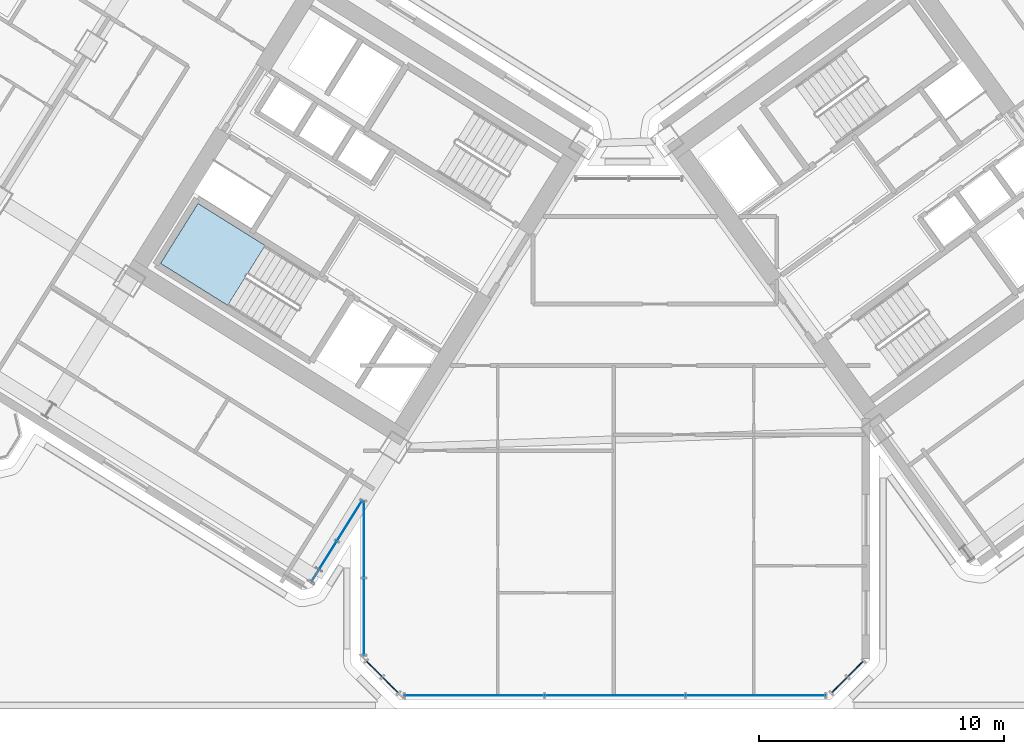
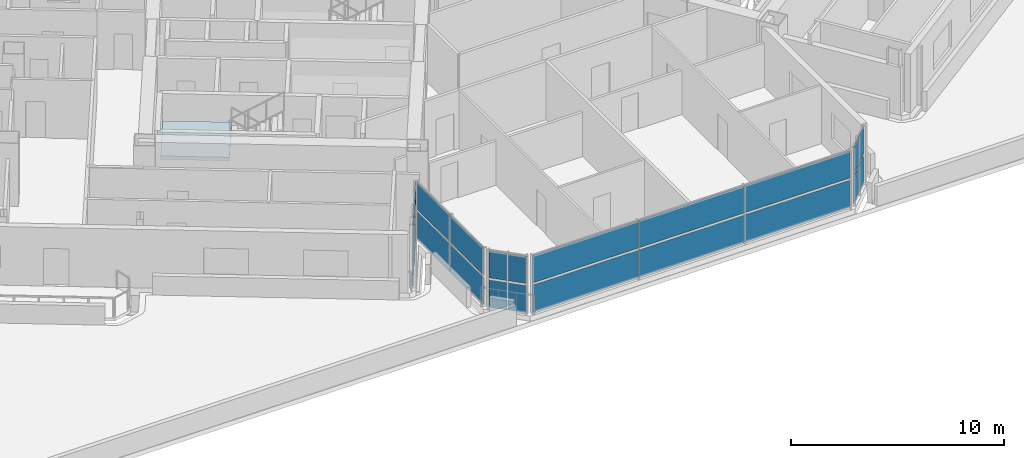
# One storey, part 13 of 28: 22 plates, 1 slab, 6 elements without a shape of their own.
"""IFC4 building model written with IfcOpenShell, lengths in metres."""

from ifc_helpers import new_model, si_unit, direction, frame, origin, origin_2d, place, context, subcontext, project, spatial, polyline, rectangle, outline, extrude, source, transform, mapped, material, layer, layer_set, type_object, element, aggregate, save


model = new_model("IFC4")

# Units and contexts
model_context = context("Model", 3, precision=1e-05, world=origin(), true_north=direction((0.0, 1.0)))
body_context = subcontext(model_context, "Body", "Model", "MODEL_VIEW")
ifc_project = project(units=[si_unit("LENGTHUNIT", "METRE"), si_unit("AREAUNIT", "SQUARE_METRE"), si_unit("VOLUMEUNIT", "CUBIC_METRE"), si_unit("PLANEANGLEUNIT", "RADIAN"), si_unit("MASSUNIT", "GRAM", prefix="KILO")], contexts=[model_context])

# Site, building, storey
site_placement = place(None, origin())
site = spatial("IfcSite", under=ifc_project, at=site_placement, CompositionType="ELEMENT")
building_placement = place(site_placement, origin())
building = spatial("IfcBuilding", under=site, at=building_placement, Name="Tlacorven Tower", CompositionType="ELEMENT")
storey_placement = place(building_placement, frame((0.0, 0.0, 24.0)))
storey = spatial("IfcBuildingStorey", under=building, at=storey_placement, Name="L05", CompositionType="ELEMENT", Elevation=24.0)

# Stair, slab
ifc_material_1 = material(Name="Concrete C40/50", Category="concrete")
stair_type = type_object("IfcStairType", Name="ST-CORE-DLG", PredefinedType="HALF_TURN_STAIR", material=ifc_material_1)
stair_placement = place(storey_placement, origin())
stair = element("IfcStair", 1, at=stair_placement, inside=storey, type_object=stair_type, Name="L05 Protected Exit Stair West 1", PredefinedType="HALF_TURN_STAIR")
ifc_layer_1 = layer(ifc_material_1, 0.199951171875)
ifc_layer_set_1 = layer_set([ifc_layer_1], Name="Concrete C40/50")
slab_type = type_object("IfcSlabType", Name="SL-LND-200", PredefinedType="LANDING", material=ifc_layer_set_1)
slab_placement = place(storey_placement, frame((0.0, 0.0, 1.60009765625)))
slab = element("IfcSlab", 2, at=slab_placement, type_object=slab_type, Name="ST-W1 landing 1", PredefinedType="LANDING", context=body_context, shape_type="SweptSolid", body=[
    extrude(outline(polyline([(27.728515625, 20.315185546875), (24.9892578125, 22.02685546875), (23.463134765625, 19.58447265625), (26.2021484375, 17.872802734375), (27.728515625, 20.315185546875)])), origin(), (0.0, 0.0, 1.0), 0.199951171875),
])
aggregate(stair, [slab])

# Curtain wall, plates
ifc_material_2 = material(Name="Dark solar low-E double glazing in aluminium frame", Category="aluminium")
curtain_wall_type = type_object("IfcCurtainWallType", Name="CW-TWR-LOW", PredefinedType="USERDEFINED", material=ifc_material_2)
curtain_wall_1_placement = place(storey_placement, origin())
curtain_wall_1 = element("IfcCurtainWall", 3, at=curtain_wall_1_placement, inside=storey, type_object=curtain_wall_type, Name="L05 CW-TWR-LOW Curtain Wall 21", ObjectType="UNITISED CURTAIN WALL", PredefinedType="USERDEFINED")
ifc_material_3 = material(Name="Dark solar double low-E glazing", Category="glass")
ifc_layer_2 = layer(ifc_material_3, 0.031982421875)
ifc_layer_set_2 = layer_set([ifc_layer_2], Name="Dark solar double low-E glazing")
plate_type = type_object("IfcPlateType", Name="CWP-02", PredefinedType="CURTAIN_PANEL", material=ifc_layer_set_2)
shared_shape_1 = source(origin(), body_context, "Body", "SweptSolid", [
    extrude(rectangle(XDim=0.878173828125, YDim=0.031982421875, at=origin_2d()), origin(), (0.0, 0.0, 1.0), 1.552978515625),
])
plate_1_placement = place(storey_placement, frame((51.815673828125, 3.0419921875, 0.06103515625), z_axis=(0.0, 0.0, 1.0), x_axis=(-0.707106781187, -0.707106781187, 0.0)))
plate_1 = element("IfcPlate", 4, at=plate_1_placement, type_object=plate_type, Name="CW-L05-021 Glazing Panel 1", PredefinedType="CURTAIN_PANEL", context=body_context, shape_type="MappedRepresentation", body=[
    mapped(shared_shape_1, transform((0.0, 0.0, 0.0), scale=1.0)),
])
plate_2_placement = place(storey_placement, frame((51.815673828125, 3.0419921875, 1.73583984375), z_axis=(0.0, 0.0, 1.0), x_axis=(-0.707106781187, -0.707106781187, 0.0)))
plate_2 = element("IfcPlate", 5, at=plate_2_placement, type_object=plate_type, Name="CW-L05-021 Glazing Panel 2", PredefinedType="CURTAIN_PANEL", context=body_context, shape_type="MappedRepresentation", body=[
    mapped(shared_shape_1, transform((0.0, 0.0, 0.0), scale=1.0)),
])
plate_3_placement = place(storey_placement, frame((51.157958984375, 2.38427734375, 0.06103515625), z_axis=(0.0, 0.0, 1.0), x_axis=(-0.707106781187, -0.707106781187, 0.0)))
plate_3 = element("IfcPlate", 6, at=plate_3_placement, type_object=plate_type, Name="CW-L05-021 Glazing Panel 3", PredefinedType="CURTAIN_PANEL", context=body_context, shape_type="MappedRepresentation", body=[
    mapped(shared_shape_1, transform((0.0, 0.0, 0.0), scale=1.0)),
])
plate_4_placement = place(storey_placement, frame((51.157958984375, 2.38427734375, 1.73583984375), z_axis=(0.0, 0.0, 1.0), x_axis=(-0.707106781187, -0.707106781187, 0.0)))
plate_4 = element("IfcPlate", 7, at=plate_4_placement, type_object=plate_type, Name="CW-L05-021 Glazing Panel 4", PredefinedType="CURTAIN_PANEL", context=body_context, shape_type="MappedRepresentation", body=[
    mapped(shared_shape_1, transform((0.0, 0.0, 0.0), scale=1.0)),
])
aggregate(curtain_wall_1, [plate_1, plate_2, plate_3, plate_4])

curtain_wall_2_placement = place(storey_placement, origin())
curtain_wall_2 = element("IfcCurtainWall", 8, at=curtain_wall_2_placement, inside=storey, type_object=curtain_wall_type, Name="L05 CW-TWR-LOW Curtain Wall 23", ObjectType="UNITISED CURTAIN WALL", PredefinedType="USERDEFINED")
plate_5_placement = place(storey_placement, frame((32.842041015625, 2.38427734375, 0.06103515625), z_axis=(0.0, 0.0, 1.0), x_axis=(-0.707106781187, 0.707106781187, 0.0)))
plate_5 = element("IfcPlate", 9, at=plate_5_placement, type_object=plate_type, Name="CW-L05-023 Glazing Panel 1", PredefinedType="CURTAIN_PANEL", context=body_context, shape_type="MappedRepresentation", body=[
    mapped(shared_shape_1, transform((0.0, 0.0, 0.0), scale=1.0)),
])
plate_6_placement = place(storey_placement, frame((32.842041015625, 2.38427734375, 1.73583984375), z_axis=(0.0, 0.0, 1.0), x_axis=(-0.707106781187, 0.707106781187, 0.0)))
plate_6 = element("IfcPlate", 10, at=plate_6_placement, type_object=plate_type, Name="CW-L05-023 Glazing Panel 2", PredefinedType="CURTAIN_PANEL", context=body_context, shape_type="MappedRepresentation", body=[
    mapped(shared_shape_1, transform((0.0, 0.0, 0.0), scale=1.0)),
])
plate_7_placement = place(storey_placement, frame((32.184326171875, 3.0419921875, 0.06103515625), z_axis=(0.0, 0.0, 1.0), x_axis=(-0.707106781187, 0.707106781187, 0.0)))
plate_7 = element("IfcPlate", 11, at=plate_7_placement, type_object=plate_type, Name="CW-L05-023 Glazing Panel 3", PredefinedType="CURTAIN_PANEL", context=body_context, shape_type="MappedRepresentation", body=[
    mapped(shared_shape_1, transform((0.0, 0.0, 0.0), scale=1.0)),
])
plate_8_placement = place(storey_placement, frame((32.184326171875, 3.0419921875, 1.73583984375), z_axis=(0.0, 0.0, 1.0), x_axis=(-0.707106781187, 0.707106781187, 0.0)))
plate_8 = element("IfcPlate", 12, at=plate_8_placement, type_object=plate_type, Name="CW-L05-023 Glazing Panel 4", PredefinedType="CURTAIN_PANEL", context=body_context, shape_type="MappedRepresentation", body=[
    mapped(shared_shape_1, transform((0.0, 0.0, 0.0), scale=1.0)),
])
aggregate(curtain_wall_2, [plate_5, plate_6, plate_7, plate_8])

curtain_wall_3_placement = place(storey_placement, origin())
curtain_wall_3 = element("IfcCurtainWall", 13, at=curtain_wall_3_placement, inside=storey, type_object=curtain_wall_type, Name="L05 CW-TWR-LOW Curtain Wall 22", ObjectType="UNITISED CURTAIN WALL", PredefinedType="USERDEFINED")
shared_shape_2 = source(origin(), body_context, "Body", "SweptSolid", [
    extrude(rectangle(XDim=5.668701171875, YDim=0.031982421875, at=origin_2d()), origin(), (0.0, 0.0, 1.0), 1.552978515625),
])
plate_9_placement = place(storey_placement, frame((47.73828125, 1.9599609375, 0.06103515625), z_axis=(0.0, 0.0, 1.0), x_axis=(-1.0, 0.0, 0.0)))
plate_9 = element("IfcPlate", 14, at=plate_9_placement, type_object=plate_type, Name="CW-L05-022 Glazing Panel 1", PredefinedType="CURTAIN_PANEL", context=body_context, shape_type="MappedRepresentation", body=[
    mapped(shared_shape_2, transform((0.0, 0.0, 0.0), scale=1.0)),
])
plate_10_placement = place(storey_placement, frame((47.73828125, 1.9599609375, 1.73583984375), z_axis=(0.0, 0.0, 1.0), x_axis=(-1.0, 0.0, 0.0)))
plate_10 = element("IfcPlate", 15, at=plate_10_placement, type_object=plate_type, Name="CW-L05-022 Glazing Panel 2", PredefinedType="CURTAIN_PANEL", context=body_context, shape_type="MappedRepresentation", body=[
    mapped(shared_shape_2, transform((0.0, 0.0, 0.0), scale=1.0)),
])
plate_11_placement = place(storey_placement, frame((36.26171875, 1.9599609375, 0.06103515625), z_axis=(0.0, 0.0, 1.0), x_axis=(-1.0, 0.0, 0.0)))
plate_11 = element("IfcPlate", 16, at=plate_11_placement, type_object=plate_type, Name="CW-L05-022 Glazing Panel 5", PredefinedType="CURTAIN_PANEL", context=body_context, shape_type="MappedRepresentation", body=[
    mapped(shared_shape_2, transform((0.0, 0.0, 0.0), scale=1.0)),
])
plate_12_placement = place(storey_placement, frame((36.26171875, 1.9599609375, 1.73583984375), z_axis=(0.0, 0.0, 1.0), x_axis=(-1.0, 0.0, 0.0)))
plate_12 = element("IfcPlate", 17, at=plate_12_placement, type_object=plate_type, Name="CW-L05-022 Glazing Panel 6", PredefinedType="CURTAIN_PANEL", context=body_context, shape_type="MappedRepresentation", body=[
    mapped(shared_shape_2, transform((0.0, 0.0, 0.0), scale=1.0)),
])
shared_shape_3 = source(origin(), body_context, "Body", "SweptSolid", [
    extrude(rectangle(XDim=5.703857421875, YDim=0.031982421875, at=origin_2d()), origin(), (0.0, 0.0, 1.0), 1.552978515625),
])
plate_13_placement = place(storey_placement, frame((42.0, 1.9599609375, 0.06103515625), z_axis=(0.0, 0.0, 1.0), x_axis=(-1.0, 0.0, 0.0)))
plate_13 = element("IfcPlate", 18, at=plate_13_placement, type_object=plate_type, Name="CW-L05-022 Glazing Panel 3", PredefinedType="CURTAIN_PANEL", context=body_context, shape_type="MappedRepresentation", body=[
    mapped(shared_shape_3, transform((0.0, 0.0, 0.0), scale=1.0)),
])
plate_14_placement = place(storey_placement, frame((42.0, 1.9599609375, 1.73583984375), z_axis=(0.0, 0.0, 1.0), x_axis=(-1.0, 0.0, 0.0)))
plate_14 = element("IfcPlate", 19, at=plate_14_placement, type_object=plate_type, Name="CW-L05-022 Glazing Panel 4", PredefinedType="CURTAIN_PANEL", context=body_context, shape_type="MappedRepresentation", body=[
    mapped(shared_shape_3, transform((0.0, 0.0, 0.0), scale=1.0)),
])
aggregate(curtain_wall_3, [plate_9, plate_10, plate_13, plate_14, plate_11, plate_12])

curtain_wall_4_placement = place(storey_placement, origin())
curtain_wall_4 = element("IfcCurtainWall", 20, at=curtain_wall_4_placement, inside=storey, type_object=curtain_wall_type, Name="L05 CW-TWR-LOW Curtain Wall 24", ObjectType="UNITISED CURTAIN WALL", PredefinedType="USERDEFINED")
shared_shape_4 = source(origin(), body_context, "Body", "SweptSolid", [
    extrude(rectangle(XDim=3.09423828125, YDim=0.031982421875, at=origin_2d()), origin(), (0.0, 0.0, 1.0), 1.552978515625),
])
plate_15_placement = place(storey_placement, frame((31.760009765625, 5.17431640625, 0.06103515625), z_axis=(0.0, 0.0, 1.0), x_axis=(0.0, 1.0, 0.0)))
plate_15 = element("IfcPlate", 21, at=plate_15_placement, type_object=plate_type, Name="CW-L05-024 Glazing Panel 1", PredefinedType="CURTAIN_PANEL", context=body_context, shape_type="MappedRepresentation", body=[
    mapped(shared_shape_4, transform((0.0, 0.0, 0.0), scale=1.0)),
])
plate_16_placement = place(storey_placement, frame((31.760009765625, 5.17431640625, 1.73583984375), z_axis=(0.0, 0.0, 1.0), x_axis=(0.0, 1.0, 0.0)))
plate_16 = element("IfcPlate", 22, at=plate_16_placement, type_object=plate_type, Name="CW-L05-024 Glazing Panel 2", PredefinedType="CURTAIN_PANEL", context=body_context, shape_type="MappedRepresentation", body=[
    mapped(shared_shape_4, transform((0.0, 0.0, 0.0), scale=1.0)),
])
plate_17_placement = place(storey_placement, frame((31.760009765625, 8.320556640625, 0.06103515625), z_axis=(0.0, 0.0, 1.0), x_axis=(0.0, 1.0, 0.0)))
plate_17 = element("IfcPlate", 23, at=plate_17_placement, type_object=plate_type, Name="CW-L05-024 Glazing Panel 3", PredefinedType="CURTAIN_PANEL", context=body_context, shape_type="MappedRepresentation", body=[
    mapped(shared_shape_4, transform((0.0, 0.0, 0.0), scale=1.0)),
])
plate_18_placement = place(storey_placement, frame((31.760009765625, 8.320556640625, 1.73583984375), z_axis=(0.0, 0.0, 1.0), x_axis=(0.0, 1.0, 0.0)))
plate_18 = element("IfcPlate", 24, at=plate_18_placement, type_object=plate_type, Name="CW-L05-024 Glazing Panel 4", PredefinedType="CURTAIN_PANEL", context=body_context, shape_type="MappedRepresentation", body=[
    mapped(shared_shape_4, transform((0.0, 0.0, 0.0), scale=1.0)),
])
aggregate(curtain_wall_4, [plate_15, plate_16, plate_17, plate_18])

curtain_wall_5_placement = place(storey_placement, origin())
curtain_wall_5 = element("IfcCurtainWall", 25, at=curtain_wall_5_placement, inside=storey, type_object=curtain_wall_type, Name="L05 CW-TWR-LOW Curtain Wall 25", ObjectType="UNITISED CURTAIN WALL", PredefinedType="USERDEFINED")
shared_shape_5 = source(origin(), body_context, "Body", "SweptSolid", [
    extrude(rectangle(XDim=1.896240234375, YDim=0.031982421875, at=origin_2d()), origin(), (0.0, 0.0, 1.0), 1.552978515625),
])
plate_19_placement = place(storey_placement, frame((31.172119140625, 9.087890625, 0.06103515625), z_axis=(0.0, 0.0, 1.0), x_axis=(-0.529918710919, -0.848048441905, 0.0)))
plate_19 = element("IfcPlate", 26, at=plate_19_placement, type_object=plate_type, Name="CW-L05-025 Glazing Panel 1", PredefinedType="CURTAIN_PANEL", context=body_context, shape_type="MappedRepresentation", body=[
    mapped(shared_shape_5, transform((0.0, 0.0, 0.0), scale=1.0)),
])
plate_20_placement = place(storey_placement, frame((31.172119140625, 9.087890625, 1.73583984375), z_axis=(0.0, 0.0, 1.0), x_axis=(-0.529918710919, -0.848048441905, 0.0)))
plate_20 = element("IfcPlate", 27, at=plate_20_placement, type_object=plate_type, Name="CW-L05-025 Glazing Panel 2", PredefinedType="CURTAIN_PANEL", context=body_context, shape_type="MappedRepresentation", body=[
    mapped(shared_shape_5, transform((0.0, 0.0, 0.0), scale=1.0)),
])
plate_21_placement = place(storey_placement, frame((30.1396484375, 7.435791015625, 0.06103515625), z_axis=(0.0, 0.0, 1.0), x_axis=(-0.529918710919, -0.848048441905, 0.0)))
plate_21 = element("IfcPlate", 28, at=plate_21_placement, type_object=plate_type, Name="CW-L05-025 Glazing Panel 3", PredefinedType="CURTAIN_PANEL", context=body_context, shape_type="MappedRepresentation", body=[
    mapped(shared_shape_5, transform((0.0, 0.0, 0.0), scale=1.0)),
])
plate_22_placement = place(storey_placement, frame((30.1396484375, 7.435791015625, 1.73583984375), z_axis=(0.0, 0.0, 1.0), x_axis=(-0.529918710919, -0.848048441905, 0.0)))
plate_22 = element("IfcPlate", 29, at=plate_22_placement, type_object=plate_type, Name="CW-L05-025 Glazing Panel 4", PredefinedType="CURTAIN_PANEL", context=body_context, shape_type="MappedRepresentation", body=[
    mapped(shared_shape_5, transform((0.0, 0.0, 0.0), scale=1.0)),
])
aggregate(curtain_wall_5, [plate_19, plate_20, plate_21, plate_22])

save(model, "model.ifc")
